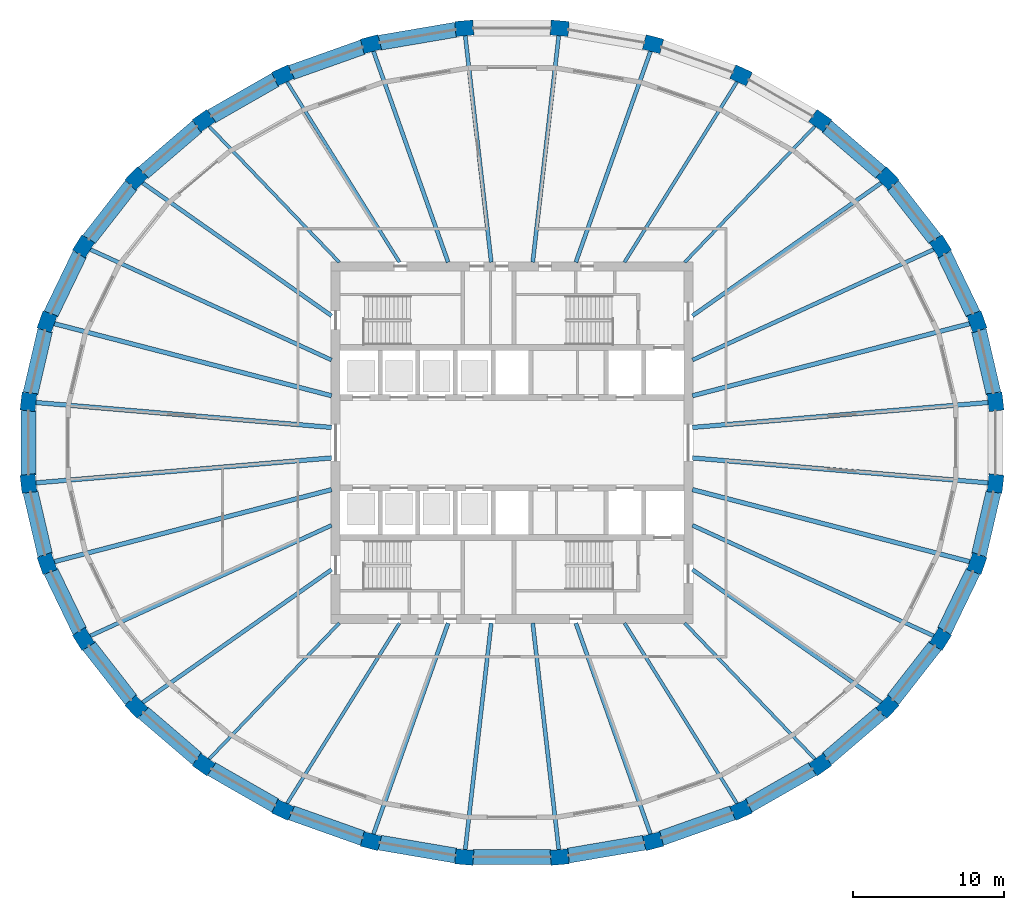
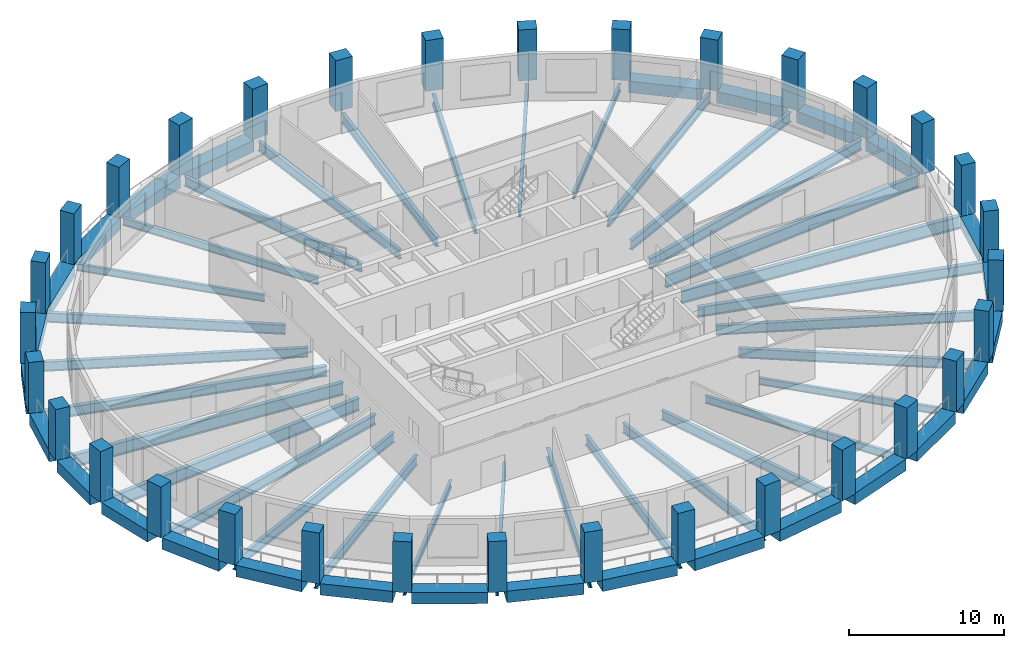
# One storey, part 1 of 10: 59 beams, 32 columns.
"""IFC4 building model written with IfcOpenShell, lengths in metres."""

from ifc_helpers import new_model, si_unit, direction, frame, origin, origin_2d, place, context, subcontext, project, spatial, rectangle, i_section, extrude, material, material_profile, profile_set, type_object, element, save


model = new_model("IFC4")

# Units and contexts
model_context = context("Model", 3, precision=1e-05, world=origin(), true_north=direction((0.0, 1.0)))
body_context = subcontext(model_context, "Body", "Model", "MODEL_VIEW")
ifc_project = project(units=[si_unit("LENGTHUNIT", "METRE"), si_unit("AREAUNIT", "SQUARE_METRE"), si_unit("VOLUMEUNIT", "CUBIC_METRE"), si_unit("PLANEANGLEUNIT", "RADIAN"), si_unit("MASSUNIT", "GRAM", prefix="KILO")], contexts=[model_context])

# Site, building, storey
site_placement = place(None, origin())
site = spatial("IfcSite", under=ifc_project, at=site_placement, CompositionType="ELEMENT")
building_placement = place(site_placement, origin())
building = spatial("IfcBuilding", under=site, at=building_placement, Name="Halqa Exchange Tower", CompositionType="ELEMENT")
storey_placement = place(building_placement, frame((0.0, 0.0, 206.89990234375)))
storey = spatial("IfcBuildingStorey", under=building, at=storey_placement, Name="L47", CompositionType="ELEMENT", Elevation=206.89990234375)

# Columns
ifc_material_1 = material(Name="Concrete C60/75", Category="concrete")
ifc_material_profile_1 = material_profile(ifc_material_1, rectangle(XDim=1.199951171875, YDim=1.0, at=origin_2d()), Name="1200 x 1000")
ifc_profile_set_1 = profile_set([ifc_material_profile_1], Name="Concrete C60/75")
column_type = type_object("IfcColumnType", Name="RC ring column 1200 x 1000 C60/75", PredefinedType="COLUMN", material=ifc_profile_set_1)
for number, where, z_axis, x_axis, name in (
    (1, (32.08154296875, 2.70849609375, 0.0), (0.0, 0.0, 1.0), (-0.114156921978, 0.993462730637, 0.0), "Ring column 1"),
    (2, (30.8486328125, 8.02099609375, 0.0), (0.0, 0.0, 1.0), (-0.333632460227, 0.942703230865, 0.0), "Ring column 2"),
    (3, (28.430419921875, 13.025390625, 0.0), (0.0, 0.0, 1.0), (-0.529143458197, 0.848532380435, 0.0), "Ring column 3"),
    (4, (24.91943359375, 17.529296875, 0.0), (0.0, 0.0, 1.0), (-0.691577351953, 0.722302406382, 0.0), "Ring column 4"),
    (5, (20.45068359375, 21.359375, 0.0), (0.0, 0.0, 1.0), (-0.817908788019, 0.57534790734, 0.0), "Ring column 5"),
    (6, (15.1962890625, 24.368896484375, 0.0), (0.0, 0.0, 1.0), (-0.909126368869, 0.416520402174, 0.0), "Ring column 6"),
    (7, (9.35791015625, 26.441650390625, 0.0), (0.0, 0.0, 1.0), (-0.967820381973, 0.251642023988, 0.0), "Ring column 7"),
    (8, (3.159912109375, 27.498291015625, 0.0), (0.0, 0.0, 1.0), (-0.996455812618, 0.084117854819, 0.0), "Ring column 8"),
    (9, (-3.159912109375, 27.498291015625, 0.0), (0.0, 0.0, 1.0), (-0.996455812618, -0.084117854819, 0.0), "Ring column 9"),
    (10, (-9.35791015625, 26.441650390625, 0.0), (0.0, 0.0, 1.0), (-0.967820381973, -0.251642023988, 0.0), "Ring column 10"),
    (11, (-15.1962890625, 24.368896484375, 0.0), (0.0, 0.0, 1.0), (-0.909126368869, -0.416520402174, 0.0), "Ring column 11"),
    (12, (-20.45068359375, 21.359375, 0.0), (0.0, 0.0, 1.0), (-0.817908788019, -0.57534790734, 0.0), "Ring column 12"),
    (13, (-24.91943359375, 17.529296875, 0.0), (0.0, 0.0, 1.0), (-0.691577351953, -0.722302406382, 0.0), "Ring column 13"),
    (14, (-28.430419921875, 13.025390625, 0.0), (0.0, 0.0, 1.0), (-0.529143458197, -0.848532380435, 0.0), "Ring column 14"),
    (15, (-30.8486328125, 8.02099609375, 0.0), (0.0, 0.0, 1.0), (-0.333632460227, -0.942703230865, 0.0), "Ring column 15"),
    (16, (-32.08154296875, 2.70849609375, 0.0), (0.0, 0.0, 1.0), (-0.114156921978, -0.993462730637, 0.0), "Ring column 16"),
    (17, (-32.08154296875, -2.70849609375, 0.0), (0.0, 0.0, 1.0), (0.114156921978, -0.993462730637, 0.0), "Ring column 17"),
    (18, (-30.8486328125, -8.02099609375, 0.0), (0.0, 0.0, 1.0), (0.333632460227, -0.942703230865, 0.0), "Ring column 18"),
    (19, (-28.430419921875, -13.025390625, 0.0), (0.0, 0.0, 1.0), (0.529143458197, -0.848532380435, 0.0), "Ring column 19"),
    (20, (-24.91943359375, -17.529296875, 0.0), (0.0, 0.0, 1.0), (0.691577351953, -0.722302406382, 0.0), "Ring column 20"),
    (21, (-20.45068359375, -21.359375, 0.0), (0.0, 0.0, 1.0), (0.817908788019, -0.57534790734, 0.0), "Ring column 21"),
    (22, (-15.1962890625, -24.368896484375, 0.0), (0.0, 0.0, 1.0), (0.909126368869, -0.416520402174, 0.0), "Ring column 22"),
    (23, (-9.35791015625, -26.441650390625, 0.0), (0.0, 0.0, 1.0), (0.967820381973, -0.251642023988, 0.0), "Ring column 23"),
    (24, (-3.159912109375, -27.498291015625, 0.0), (0.0, 0.0, 1.0), (0.996455812618, -0.084117854819, 0.0), "Ring column 24"),
    (25, (3.159912109375, -27.498291015625, 0.0), (0.0, 0.0, 1.0), (0.996455812618, 0.084117854819, 0.0), "Ring column 25"),
    (26, (9.35791015625, -26.441650390625, 0.0), (0.0, 0.0, 1.0), (0.967820381973, 0.251642023988, 0.0), "Ring column 26"),
    (27, (15.1962890625, -24.368896484375, 0.0), (0.0, 0.0, 1.0), (0.909126368869, 0.416520402174, 0.0), "Ring column 27"),
    (28, (20.45068359375, -21.359375, 0.0), (0.0, 0.0, 1.0), (0.817908788019, 0.57534790734, 0.0), "Ring column 28"),
    (29, (24.91943359375, -17.529296875, 0.0), (0.0, 0.0, 1.0), (0.691577351953, 0.722302406382, 0.0), "Ring column 29"),
    (30, (28.430419921875, -13.025390625, 0.0), (0.0, 0.0, 1.0), (0.529143458197, 0.848532380435, 0.0), "Ring column 30"),
    (31, (30.8486328125, -8.02099609375, 0.0), (0.0, 0.0, 1.0), (0.333632460227, 0.942703230865, 0.0), "Ring column 31"),
    (32, (32.08154296875, -2.70849609375, 0.0), (0.0, 0.0, 1.0), (0.114156921978, 0.993462730637, 0.0), "Ring column 32"),
):
    element("IfcColumn", number, at=place(storey_placement, frame(where, z_axis=z_axis, x_axis=x_axis)), inside=storey, type_object=column_type, Name=name, PredefinedType="COLUMN", context=body_context, shape_type="SweptSolid", body=[
        extrude(rectangle(XDim=1.199951171875, YDim=1.0, at=origin_2d()), origin(), (0.0, 0.0, 1.0), 4.0),
    ])

# Beams
ifc_material_2 = material(Name="Steel S355", Category="steel")
ifc_material_profile_2 = material_profile(ifc_material_2, i_section(OverallWidth=0.300048828125, OverallDepth=0.989990234375, WebThickness=0.0166015625, FlangeThickness=0.031005859375, FilletRadius=0.030029296875, at=origin_2d()), Name="HEA 1000")
ifc_profile_set_2 = profile_set([ifc_material_profile_2], Name="Steel S355")
beam_type_1 = type_object("IfcBeamType", Name="Floor beam HEA 1000", PredefinedType="BEAM", material=ifc_profile_set_2)
for number, where, z_axis, x_axis, name in (
    (33, (11.972412109375, 1.0107421875, -0.794921875), (0.996455847373, 0.084117443114, 0.0), (-0.084117443114, 0.996455847373, 0.0), "Radial beam 1"),
    (34, (-11.972412109375, 1.0107421875, -0.794921875), (-0.996455847373, 0.084117443114, 0.0), (-0.084117443114, -0.996455847373, 0.0), "Radial beam 16"),
    (35, (-11.972412109375, -1.0107421875, -0.794921875), (-0.996455847373, -0.084117443114, 0.0), (0.084117443114, -0.996455847373, 0.0), "Radial beam 17"),
    (36, (11.972412109375, -1.0107421875, -0.794921875), (0.996455847373, -0.084117443114, 0.0), (0.084117443114, 0.996455847373, 0.0), "Radial beam 32"),
):
    element("IfcBeam", number, at=place(storey_placement, frame(where, z_axis=z_axis, x_axis=x_axis)), inside=storey, type_object=beam_type_1, Name=name, PredefinedType="BEAM", context=body_context, shape_type="SweptSolid", body=[
        extrude(i_section(OverallWidth=0.300048828125, OverallDepth=0.989990234375, WebThickness=0.0166015625, FlangeThickness=0.031005859375, FilletRadius=0.030029296875, at=origin_2d()), origin(), (0.0, 0.0, 1.0), 19.808837890625),
    ])
ifc_material_profile_3 = material_profile(ifc_material_2, i_section(OverallWidth=0.300048828125, OverallDepth=0.800048828125, WebThickness=0.017578125, FlangeThickness=0.032958984375, FilletRadius=0.030029296875, at=origin_2d()), Name="HEB 800")
ifc_profile_set_3 = profile_set([ifc_material_profile_3], Name="Steel S355")
beam_type_2 = type_object("IfcBeamType", Name="Floor beam HEB 800", PredefinedType="BEAM", material=ifc_profile_set_3)
for number, where, z_axis, x_axis, name in (
    (37, (11.97119140625, 3.11279296875, -0.699951171875), (0.967820642046, 0.251641023741, 0.0), (-0.251641023741, 0.967820642046, 0.0), "Radial beam 2"),
    (38, (-11.97119140625, 3.11279296875, -0.699951171875), (-0.967820642046, 0.251641023741, 0.0), (-0.251641023741, -0.967820642046, 0.0), "Radial beam 15"),
    (39, (-11.97119140625, -3.11279296875, -0.699951171875), (-0.967820642046, -0.251641023741, 0.0), (0.251641023741, -0.967820642046, 0.0), "Radial beam 18"),
    (40, (11.97119140625, -3.11279296875, -0.699951171875), (0.967820642046, -0.251641023741, 0.0), (0.251641023741, 0.967820642046, 0.0), "Radial beam 31"),
):
    element("IfcBeam", number, at=place(storey_placement, frame(where, z_axis=z_axis, x_axis=x_axis)), inside=storey, type_object=beam_type_2, Name=name, PredefinedType="BEAM", context=body_context, shape_type="SweptSolid", body=[
        extrude(i_section(OverallWidth=0.300048828125, OverallDepth=0.800048828125, WebThickness=0.017578125, FlangeThickness=0.032958984375, FilletRadius=0.030029296875, at=origin_2d()), origin(), (0.0, 0.0, 1.0), 19.13134765625),
    ])
ifc_material_profile_4 = material_profile(ifc_material_2, i_section(OverallWidth=0.2099609375, OverallDepth=0.550048828125, WebThickness=0.010986328125, FlangeThickness=0.01708984375, FilletRadius=0.02392578125, at=origin_2d()), Name="IPE 550")
ifc_profile_set_4 = profile_set([ifc_material_profile_4], Name="Steel S355")
beam_type_3 = type_object("IfcBeamType", Name="Floor beam IPE 550", PredefinedType="BEAM", material=ifc_profile_set_4)
for number, where, z_axis, x_axis, name in (
    (41, (11.462646484375, 11.971923828125, -0.574951171875), (0.691580517916, 0.722299375079, 0.0), (-0.722299375079, 0.691580517916, 0.0), "Radial beam 5"),
    (42, (-11.462646484375, 11.971923828125, -0.574951171875), (-0.691580517916, 0.722299375079, 0.0), (-0.722299375079, -0.691580517916, 0.0), "Radial beam 12"),
    (43, (-11.462646484375, -11.971923828125, -0.574951171875), (-0.691580517916, -0.722299375079, 0.0), (0.722299375079, -0.691580517916, 0.0), "Radial beam 21"),
    (44, (11.462646484375, -11.971923828125, -0.574951171875), (0.691580517916, -0.722299375079, 0.0), (0.722299375079, 0.691580517916, 0.0), "Radial beam 28"),
):
    element("IfcBeam", number, at=place(storey_placement, frame(where, z_axis=z_axis, x_axis=x_axis)), inside=storey, type_object=beam_type_3, Name=name, PredefinedType="BEAM", context=body_context, shape_type="SweptSolid", body=[
        extrude(i_section(OverallWidth=0.2099609375, OverallDepth=0.550048828125, WebThickness=0.010986328125, FlangeThickness=0.01708984375, FilletRadius=0.02392578125, at=origin_2d()), origin(), (0.0, 0.0, 1.0), 12.620849609375),
    ])
ifc_material_profile_5 = material_profile(ifc_material_2, i_section(OverallWidth=0.219970703125, OverallDepth=0.60009765625, WebThickness=0.011962890625, FlangeThickness=0.01904296875, FilletRadius=0.02392578125, at=origin_2d()), Name="IPE 600")
ifc_profile_set_5 = profile_set([ifc_material_profile_5], Name="Steel S355")
beam_type_4 = type_object("IfcBeamType", Name="Floor beam IPE 600", PredefinedType="BEAM", material=ifc_profile_set_5)
for number, where, z_axis, x_axis, name in (
    (45, (7.466064453125, 11.972412109375, -0.599853515625), (0.529133693888, 0.848538469365, 0.0), (-0.848538469365, 0.529133693888, 0.0), "Radial beam 6"),
    (46, (-7.466064453125, 11.972412109375, -0.599853515625), (-0.529133693888, 0.848538469365, 0.0), (-0.848538469365, -0.529133693888, 0.0), "Radial beam 11"),
    (47, (-7.466064453125, -11.972412109375, -0.599853515625), (-0.529133693888, -0.848538469365, 0.0), (0.848538469365, -0.529133693888, 0.0), "Radial beam 22"),
    (48, (7.466064453125, -11.972412109375, -0.599853515625), (0.529133693888, -0.848538469365, 0.0), (0.848538469365, 0.529133693888, 0.0), "Radial beam 27"),
):
    element("IfcBeam", number, at=place(storey_placement, frame(where, z_axis=z_axis, x_axis=x_axis)), inside=storey, type_object=beam_type_4, Name=name, PredefinedType="BEAM", context=body_context, shape_type="SweptSolid", body=[
        extrude(i_section(OverallWidth=0.219970703125, OverallDepth=0.60009765625, WebThickness=0.011962890625, FlangeThickness=0.01904296875, FilletRadius=0.02392578125, at=origin_2d()), origin(), (0.0, 0.0, 1.0), 14.233154296875),
    ])
ifc_material_profile_6 = material_profile(ifc_material_2, i_section(OverallWidth=0.264892578125, OverallDepth=0.7529296875, WebThickness=0.01318359375, FlangeThickness=0.01708984375, FilletRadius=0.01708984375, at=origin_2d()), Name="IPE 750x147")
ifc_profile_set_6 = profile_set([ifc_material_profile_6], Name="Steel S355")
beam_type_5 = type_object("IfcBeamType", Name="Floor beam IPE 750x147", PredefinedType="BEAM", material=ifc_profile_set_6)
beam_1_placement = place(storey_placement, frame((11.972412109375, 5.485107421875, -0.676513671875), z_axis=(0.909122412796, 0.416529036866, 0.0), x_axis=(-0.416529036866, 0.909122412796, 0.0)))
element("IfcBeam", 49, at=beam_1_placement, inside=storey, type_object=beam_type_5, Name="Radial beam 3", PredefinedType="BEAM", context=body_context, shape_type="SweptSolid", body=[
    extrude(i_section(OverallWidth=0.264892578125, OverallDepth=0.7529296875, WebThickness=0.01318359375, FlangeThickness=0.01708984375, FilletRadius=0.01708984375, at=origin_2d()), origin(), (0.0, 0.0, 1.0), 17.72705078125),
])
beam_2_placement = place(storey_placement, frame((11.97216796875, 8.421630859375, -0.676513671875), z_axis=(0.817904167893, 0.575354475209, 0.0), x_axis=(-0.575354475209, 0.817904167893, 0.0)))
element("IfcBeam", 50, at=beam_2_placement, inside=storey, type_object=beam_type_5, Name="Radial beam 4", PredefinedType="BEAM", context=body_context, shape_type="SweptSolid", body=[
    extrude(i_section(OverallWidth=0.264892578125, OverallDepth=0.7529296875, WebThickness=0.01318359375, FlangeThickness=0.01708984375, FilletRadius=0.01708984375, at=origin_2d()), origin(), (0.0, 0.0, 1.0), 15.45361328125),
])
beam_3_placement = place(storey_placement, frame((4.23681640625, 11.9716796875, -0.676513671875), z_axis=(0.333619887143, 0.942707680515, 0.0), x_axis=(-0.942707680515, 0.333619887143, 0.0)))
element("IfcBeam", 51, at=beam_3_placement, inside=storey, type_object=beam_type_5, Name="Radial beam 7", PredefinedType="BEAM", context=body_context, shape_type="SweptSolid", body=[
    extrude(i_section(OverallWidth=0.264892578125, OverallDepth=0.7529296875, WebThickness=0.01318359375, FlangeThickness=0.01708984375, FilletRadius=0.01708984375, at=origin_2d()), origin(), (0.0, 0.0, 1.0), 14.975341796875),
])
for number, where, z_axis, x_axis, name in (
    (52, (1.375732421875, 11.972900390625, -0.676513671875), (0.114150913868, 0.993463420999, 0.0), (-0.993463420999, 0.114150913868, 0.0), "Radial beam 8"),
    (53, (-1.375732421875, 11.972900390625, -0.676513671875), (-0.114150913868, 0.993463420999, 0.0), (-0.993463420999, -0.114150913868, 0.0), "Radial beam 9"),
):
    element("IfcBeam", number, at=place(storey_placement, frame(where, z_axis=z_axis, x_axis=x_axis)), inside=storey, type_object=beam_type_5, Name=name, PredefinedType="BEAM", context=body_context, shape_type="SweptSolid", body=[
        extrude(i_section(OverallWidth=0.264892578125, OverallDepth=0.7529296875, WebThickness=0.01318359375, FlangeThickness=0.01708984375, FilletRadius=0.01708984375, at=origin_2d()), origin(), (0.0, 0.0, 1.0), 15.255615234375),
    ])
beam_4_placement = place(storey_placement, frame((-4.23681640625, 11.9716796875, -0.676513671875), z_axis=(-0.333619887143, 0.942707680515, 0.0), x_axis=(-0.942707680515, -0.333619887143, 0.0)))
element("IfcBeam", 54, at=beam_4_placement, inside=storey, type_object=beam_type_5, Name="Radial beam 10", PredefinedType="BEAM", context=body_context, shape_type="SweptSolid", body=[
    extrude(i_section(OverallWidth=0.264892578125, OverallDepth=0.7529296875, WebThickness=0.01318359375, FlangeThickness=0.01708984375, FilletRadius=0.01708984375, at=origin_2d()), origin(), (0.0, 0.0, 1.0), 14.975341796875),
])
beam_5_placement = place(storey_placement, frame((-11.97216796875, 8.421630859375, -0.676513671875), z_axis=(-0.817904167893, 0.575354475209, 0.0), x_axis=(-0.575354475209, -0.817904167893, 0.0)))
element("IfcBeam", 55, at=beam_5_placement, inside=storey, type_object=beam_type_5, Name="Radial beam 13", PredefinedType="BEAM", context=body_context, shape_type="SweptSolid", body=[
    extrude(i_section(OverallWidth=0.264892578125, OverallDepth=0.7529296875, WebThickness=0.01318359375, FlangeThickness=0.01708984375, FilletRadius=0.01708984375, at=origin_2d()), origin(), (0.0, 0.0, 1.0), 15.45361328125),
])
for number, where, z_axis, x_axis, name in (
    (56, (-11.972412109375, 5.485107421875, -0.676513671875), (-0.909122412796, 0.416529036866, 0.0), (-0.416529036866, -0.909122412796, 0.0), "Radial beam 14"),
    (57, (-11.972412109375, -5.485107421875, -0.676513671875), (-0.909122412796, -0.416529036866, 0.0), (0.416529036866, -0.909122412796, 0.0), "Radial beam 19"),
):
    element("IfcBeam", number, at=place(storey_placement, frame(where, z_axis=z_axis, x_axis=x_axis)), inside=storey, type_object=beam_type_5, Name=name, PredefinedType="BEAM", context=body_context, shape_type="SweptSolid", body=[
        extrude(i_section(OverallWidth=0.264892578125, OverallDepth=0.7529296875, WebThickness=0.01318359375, FlangeThickness=0.01708984375, FilletRadius=0.01708984375, at=origin_2d()), origin(), (0.0, 0.0, 1.0), 17.72705078125),
    ])
beam_6_placement = place(storey_placement, frame((-11.97216796875, -8.421630859375, -0.676513671875), z_axis=(-0.817904167893, -0.575354475209, 0.0), x_axis=(0.575354475209, -0.817904167893, 0.0)))
element("IfcBeam", 58, at=beam_6_placement, inside=storey, type_object=beam_type_5, Name="Radial beam 20", PredefinedType="BEAM", context=body_context, shape_type="SweptSolid", body=[
    extrude(i_section(OverallWidth=0.264892578125, OverallDepth=0.7529296875, WebThickness=0.01318359375, FlangeThickness=0.01708984375, FilletRadius=0.01708984375, at=origin_2d()), origin(), (0.0, 0.0, 1.0), 15.45361328125),
])
beam_7_placement = place(storey_placement, frame((-4.23681640625, -11.9716796875, -0.676513671875), z_axis=(-0.333619887143, -0.942707680515, 0.0), x_axis=(0.942707680515, -0.333619887143, 0.0)))
element("IfcBeam", 59, at=beam_7_placement, inside=storey, type_object=beam_type_5, Name="Radial beam 23", PredefinedType="BEAM", context=body_context, shape_type="SweptSolid", body=[
    extrude(i_section(OverallWidth=0.264892578125, OverallDepth=0.7529296875, WebThickness=0.01318359375, FlangeThickness=0.01708984375, FilletRadius=0.01708984375, at=origin_2d()), origin(), (0.0, 0.0, 1.0), 14.975341796875),
])
for number, where, z_axis, x_axis, name in (
    (60, (-1.375732421875, -11.972900390625, -0.676513671875), (-0.114150913868, -0.993463420999, 0.0), (0.993463420999, -0.114150913868, 0.0), "Radial beam 24"),
    (61, (1.375732421875, -11.972900390625, -0.676513671875), (0.114150913868, -0.993463420999, 0.0), (0.993463420999, 0.114150913868, 0.0), "Radial beam 25"),
):
    element("IfcBeam", number, at=place(storey_placement, frame(where, z_axis=z_axis, x_axis=x_axis)), inside=storey, type_object=beam_type_5, Name=name, PredefinedType="BEAM", context=body_context, shape_type="SweptSolid", body=[
        extrude(i_section(OverallWidth=0.264892578125, OverallDepth=0.7529296875, WebThickness=0.01318359375, FlangeThickness=0.01708984375, FilletRadius=0.01708984375, at=origin_2d()), origin(), (0.0, 0.0, 1.0), 15.255615234375),
    ])
beam_8_placement = place(storey_placement, frame((4.23681640625, -11.9716796875, -0.676513671875), z_axis=(0.333619887143, -0.942707680515, 0.0), x_axis=(0.942707680515, 0.333619887143, 0.0)))
element("IfcBeam", 62, at=beam_8_placement, inside=storey, type_object=beam_type_5, Name="Radial beam 26", PredefinedType="BEAM", context=body_context, shape_type="SweptSolid", body=[
    extrude(i_section(OverallWidth=0.264892578125, OverallDepth=0.7529296875, WebThickness=0.01318359375, FlangeThickness=0.01708984375, FilletRadius=0.01708984375, at=origin_2d()), origin(), (0.0, 0.0, 1.0), 14.975341796875),
])
beam_9_placement = place(storey_placement, frame((11.97216796875, -8.421630859375, -0.676513671875), z_axis=(0.817904167893, -0.575354475209, 0.0), x_axis=(0.575354475209, 0.817904167893, 0.0)))
element("IfcBeam", 63, at=beam_9_placement, inside=storey, type_object=beam_type_5, Name="Radial beam 29", PredefinedType="BEAM", context=body_context, shape_type="SweptSolid", body=[
    extrude(i_section(OverallWidth=0.264892578125, OverallDepth=0.7529296875, WebThickness=0.01318359375, FlangeThickness=0.01708984375, FilletRadius=0.01708984375, at=origin_2d()), origin(), (0.0, 0.0, 1.0), 15.45361328125),
])
beam_10_placement = place(storey_placement, frame((11.972412109375, -5.485107421875, -0.676513671875), z_axis=(0.909122412796, -0.416529036866, 0.0), x_axis=(0.416529036866, 0.909122412796, 0.0)))
element("IfcBeam", 64, at=beam_10_placement, inside=storey, type_object=beam_type_5, Name="Radial beam 30", PredefinedType="BEAM", context=body_context, shape_type="SweptSolid", body=[
    extrude(i_section(OverallWidth=0.264892578125, OverallDepth=0.7529296875, WebThickness=0.01318359375, FlangeThickness=0.01708984375, FilletRadius=0.01708984375, at=origin_2d()), origin(), (0.0, 0.0, 1.0), 17.72705078125),
])
ifc_material_profile_7 = material_profile(ifc_material_1, rectangle(XDim=1.0, YDim=0.89990234375, at=origin_2d()), Name="1000 x 900")
ifc_profile_set_7 = profile_set([ifc_material_profile_7], Name="Concrete C60/75")
beam_type_6 = type_object("IfcBeamType", Name="RC spandrel beam 1000 x 900 C60/75", PredefinedType="SPANDREL", material=ifc_profile_set_7)
beam_11_placement = place(storey_placement, frame((31.951416015625, 3.269775390625, -0.449951171875), z_axis=(-0.226102781775, 0.974103450396, 0.0), x_axis=(-0.974103450396, -0.226102781775, 0.0)))
element("IfcBeam", 65, at=beam_11_placement, inside=storey, type_object=beam_type_6, Name="Spandrel 1", PredefinedType="SPANDREL", context=body_context, shape_type="SweptSolid", body=[
    extrude(rectangle(XDim=1.0, YDim=0.89990234375, at=origin_2d()), origin(), (0.0, 0.0, 1.0), 4.3017578125),
])
beam_12_placement = place(storey_placement, frame((30.5986328125, 8.53857421875, -0.449951171875), z_axis=(-0.435097564922, 0.900383312261, 0.0), x_axis=(-0.900383312261, -0.435097564922, 0.0)))
element("IfcBeam", 66, at=beam_12_placement, inside=storey, type_object=beam_type_6, Name="Spandrel 2", PredefinedType="SPANDREL", context=body_context, shape_type="SweptSolid", body=[
    extrude(rectangle(XDim=1.0, YDim=0.89990234375, at=origin_2d()), origin(), (0.0, 0.0, 1.0), 4.407470703125),
])
beam_13_placement = place(storey_placement, frame((28.0771484375, 13.478515625, -0.449951171875), z_axis=(-0.614814790749, 0.788671524195, 0.0), x_axis=(-0.788671524195, -0.614814790749, 0.0)))
element("IfcBeam", 67, at=beam_13_placement, inside=storey, type_object=beam_type_6, Name="Spandrel 3", PredefinedType="SPANDREL", context=body_context, shape_type="SweptSolid", body=[
    extrude(rectangle(XDim=1.0, YDim=0.89990234375, at=origin_2d()), origin(), (0.0, 0.0, 1.0), 4.56103515625),
])
beam_14_placement = place(storey_placement, frame((24.483642578125, 17.902587890625, -0.449951171875), z_axis=(-0.759242050572, 0.650808350164, 0.0), x_axis=(-0.650808350164, -0.759242050572, 0.0)))
element("IfcBeam", 68, at=beam_14_placement, inside=storey, type_object=beam_type_6, Name="Spandrel 4", PredefinedType="SPANDREL", context=body_context, shape_type="SweptSolid", body=[
    extrude(rectangle(XDim=1.0, YDim=0.89990234375, at=origin_2d()), origin(), (0.0, 0.0, 1.0), 4.7373046875),
])
beam_15_placement = place(storey_placement, frame((-3.725341796875, 27.402099609375, -0.449951171875), z_axis=(-0.985769464363, -0.168102834982, 0.0), x_axis=(0.168102834982, -0.985769464363, 0.0)))
element("IfcBeam", 69, at=beam_15_placement, inside=storey, type_object=beam_type_6, Name="Spandrel 9", PredefinedType="SPANDREL", context=body_context, shape_type="SweptSolid", body=[
    extrude(rectangle(XDim=1.0, YDim=0.89990234375, at=origin_2d()), origin(), (0.0, 0.0, 1.0), 5.139892578125),
])
beam_16_placement = place(storey_placement, frame((-9.8994140625, 26.24951171875, -0.449951171875), z_axis=(-0.942356423525, -0.334610775442, 0.0), x_axis=(0.334610775442, -0.942356423525, 0.0)))
element("IfcBeam", 70, at=beam_16_placement, inside=storey, type_object=beam_type_6, Name="Spandrel 10", PredefinedType="SPANDREL", context=body_context, shape_type="SweptSolid", body=[
    extrude(rectangle(XDim=1.0, YDim=0.89990234375, at=origin_2d()), origin(), (0.0, 0.0, 1.0), 5.047607421875),
])
beam_17_placement = place(storey_placement, frame((-15.694580078125, 24.08349609375, -0.449951171875), z_axis=(-0.867758828844, -0.496985527921, 0.0), x_axis=(0.496985527921, -0.867758828844, 0.0)))
element("IfcBeam", 71, at=beam_17_placement, inside=storey, type_object=beam_type_6, Name="Spandrel 11", PredefinedType="SPANDREL", context=body_context, shape_type="SweptSolid", body=[
    extrude(rectangle(XDim=1.0, YDim=0.89990234375, at=origin_2d()), origin(), (0.0, 0.0, 1.0), 4.905517578125),
])
beam_18_placement = place(storey_placement, frame((-20.886962890625, 20.985595703125, -0.449951171875), z_axis=(-0.759242050572, -0.650808350164, 0.0), x_axis=(0.650808350164, -0.759242050572, 0.0)))
element("IfcBeam", 72, at=beam_18_placement, inside=storey, type_object=beam_type_6, Name="Spandrel 12", PredefinedType="SPANDREL", context=body_context, shape_type="SweptSolid", body=[
    extrude(rectangle(XDim=1.0, YDim=0.89990234375, at=origin_2d()), origin(), (0.0, 0.0, 1.0), 4.7373046875),
])
beam_19_placement = place(storey_placement, frame((-25.27294921875, 17.07568359375, -0.449951171875), z_axis=(-0.614814790749, -0.788671524195, 0.0), x_axis=(0.788671524195, -0.614814790749, 0.0)))
element("IfcBeam", 73, at=beam_19_placement, inside=storey, type_object=beam_type_6, Name="Spandrel 13", PredefinedType="SPANDREL", context=body_context, shape_type="SweptSolid", body=[
    extrude(rectangle(XDim=1.0, YDim=0.89990234375, at=origin_2d()), origin(), (0.0, 0.0, 1.0), 4.56103515625),
])
beam_20_placement = place(storey_placement, frame((-28.680908203125, 12.507080078125, -0.449951171875), z_axis=(-0.435097564922, -0.900383312261, 0.0), x_axis=(0.900383312261, -0.435097564922, 0.0)))
element("IfcBeam", 74, at=beam_20_placement, inside=storey, type_object=beam_type_6, Name="Spandrel 14", PredefinedType="SPANDREL", context=body_context, shape_type="SweptSolid", body=[
    extrude(rectangle(XDim=1.0, YDim=0.89990234375, at=origin_2d()), origin(), (0.0, 0.0, 1.0), 4.407470703125),
])
beam_21_placement = place(storey_placement, frame((-30.978759765625, 7.460205078125, -0.449951171875), z_axis=(-0.226102781775, -0.974103450396, 0.0), x_axis=(0.974103450396, -0.226102781775, 0.0)))
element("IfcBeam", 75, at=beam_21_placement, inside=storey, type_object=beam_type_6, Name="Spandrel 15", PredefinedType="SPANDREL", context=body_context, shape_type="SweptSolid", body=[
    extrude(rectangle(XDim=1.0, YDim=0.89990234375, at=origin_2d()), origin(), (0.0, 0.0, 1.0), 4.3017578125),
])
beam_22_placement = place(storey_placement, frame((-32.08154296875, 2.131591796875, -0.449951171875), z_axis=(0.0, -1.0, 0.0), x_axis=(1.0, 0.0, 0.0)))
element("IfcBeam", 76, at=beam_22_placement, inside=storey, type_object=beam_type_6, Name="Spandrel 16", PredefinedType="SPANDREL", context=body_context, shape_type="SweptSolid", body=[
    extrude(rectangle(XDim=1.0, YDim=0.89990234375, at=origin_2d()), origin(), (0.0, 0.0, 1.0), 4.26318359375),
])
beam_23_placement = place(storey_placement, frame((-31.951416015625, -3.269775390625, -0.449951171875), z_axis=(0.226102781775, -0.974103450396, 0.0), x_axis=(0.974103450396, 0.226102781775, 0.0)))
element("IfcBeam", 77, at=beam_23_placement, inside=storey, type_object=beam_type_6, Name="Spandrel 17", PredefinedType="SPANDREL", context=body_context, shape_type="SweptSolid", body=[
    extrude(rectangle(XDim=1.0, YDim=0.89990234375, at=origin_2d()), origin(), (0.0, 0.0, 1.0), 4.3017578125),
])
beam_24_placement = place(storey_placement, frame((-30.5986328125, -8.53857421875, -0.449951171875), z_axis=(0.435097564922, -0.900383312261, 0.0), x_axis=(0.900383312261, 0.435097564922, 0.0)))
element("IfcBeam", 78, at=beam_24_placement, inside=storey, type_object=beam_type_6, Name="Spandrel 18", PredefinedType="SPANDREL", context=body_context, shape_type="SweptSolid", body=[
    extrude(rectangle(XDim=1.0, YDim=0.89990234375, at=origin_2d()), origin(), (0.0, 0.0, 1.0), 4.407470703125),
])
beam_25_placement = place(storey_placement, frame((-28.0771484375, -13.478515625, -0.449951171875), z_axis=(0.614814790749, -0.788671524195, 0.0), x_axis=(0.788671524195, 0.614814790749, 0.0)))
element("IfcBeam", 79, at=beam_25_placement, inside=storey, type_object=beam_type_6, Name="Spandrel 19", PredefinedType="SPANDREL", context=body_context, shape_type="SweptSolid", body=[
    extrude(rectangle(XDim=1.0, YDim=0.89990234375, at=origin_2d()), origin(), (0.0, 0.0, 1.0), 4.56103515625),
])
beam_26_placement = place(storey_placement, frame((-24.483642578125, -17.902587890625, -0.449951171875), z_axis=(0.759242050572, -0.650808350164, 0.0), x_axis=(0.650808350164, 0.759242050572, 0.0)))
element("IfcBeam", 80, at=beam_26_placement, inside=storey, type_object=beam_type_6, Name="Spandrel 20", PredefinedType="SPANDREL", context=body_context, shape_type="SweptSolid", body=[
    extrude(rectangle(XDim=1.0, YDim=0.89990234375, at=origin_2d()), origin(), (0.0, 0.0, 1.0), 4.7373046875),
])
beam_27_placement = place(storey_placement, frame((-19.951416015625, -21.6455078125, -0.449951171875), z_axis=(0.867758828844, -0.496985527921, 0.0), x_axis=(0.496985527921, 0.867758828844, 0.0)))
element("IfcBeam", 81, at=beam_27_placement, inside=storey, type_object=beam_type_6, Name="Spandrel 21", PredefinedType="SPANDREL", context=body_context, shape_type="SweptSolid", body=[
    extrude(rectangle(XDim=1.0, YDim=0.89990234375, at=origin_2d()), origin(), (0.0, 0.0, 1.0), 4.905517578125),
])
beam_28_placement = place(storey_placement, frame((-14.656005859375, -24.560546875, -0.449951171875), z_axis=(0.942356423525, -0.334610775442, 0.0), x_axis=(0.334610775442, 0.942356423525, 0.0)))
element("IfcBeam", 82, at=beam_28_placement, inside=storey, type_object=beam_type_6, Name="Spandrel 22", PredefinedType="SPANDREL", context=body_context, shape_type="SweptSolid", body=[
    extrude(rectangle(XDim=1.0, YDim=0.89990234375, at=origin_2d()), origin(), (0.0, 0.0, 1.0), 5.047607421875),
])
beam_29_placement = place(storey_placement, frame((-8.7919921875, -26.5380859375, -0.449951171875), z_axis=(0.985769464363, -0.168102834982, 0.0), x_axis=(0.168102834982, 0.985769464363, 0.0)))
element("IfcBeam", 83, at=beam_29_placement, inside=storey, type_object=beam_type_6, Name="Spandrel 23", PredefinedType="SPANDREL", context=body_context, shape_type="SweptSolid", body=[
    extrude(rectangle(XDim=1.0, YDim=0.89990234375, at=origin_2d()), origin(), (0.0, 0.0, 1.0), 5.139892578125),
])
beam_30_placement = place(storey_placement, frame((-2.586181640625, -27.498291015625, -0.449951171875), z_axis=(1.0, 0.0, 0.0), x_axis=(0.0, 1.0, 0.0)))
element("IfcBeam", 84, at=beam_30_placement, inside=storey, type_object=beam_type_6, Name="Spandrel 24", PredefinedType="SPANDREL", context=body_context, shape_type="SweptSolid", body=[
    extrude(rectangle(XDim=1.0, YDim=0.89990234375, at=origin_2d()), origin(), (0.0, 0.0, 1.0), 5.17236328125),
])
beam_31_placement = place(storey_placement, frame((3.725341796875, -27.402099609375, -0.449951171875), z_axis=(0.985769464363, 0.168102834982, 0.0), x_axis=(-0.168102834982, 0.985769464363, 0.0)))
element("IfcBeam", 85, at=beam_31_placement, inside=storey, type_object=beam_type_6, Name="Spandrel 25", PredefinedType="SPANDREL", context=body_context, shape_type="SweptSolid", body=[
    extrude(rectangle(XDim=1.0, YDim=0.89990234375, at=origin_2d()), origin(), (0.0, 0.0, 1.0), 5.139892578125),
])
beam_32_placement = place(storey_placement, frame((9.8994140625, -26.24951171875, -0.449951171875), z_axis=(0.942356423525, 0.334610775442, 0.0), x_axis=(-0.334610775442, 0.942356423525, 0.0)))
element("IfcBeam", 86, at=beam_32_placement, inside=storey, type_object=beam_type_6, Name="Spandrel 26", PredefinedType="SPANDREL", context=body_context, shape_type="SweptSolid", body=[
    extrude(rectangle(XDim=1.0, YDim=0.89990234375, at=origin_2d()), origin(), (0.0, 0.0, 1.0), 5.047607421875),
])
beam_33_placement = place(storey_placement, frame((15.694580078125, -24.08349609375, -0.449951171875), z_axis=(0.867758828844, 0.496985527921, 0.0), x_axis=(-0.496985527921, 0.867758828844, 0.0)))
element("IfcBeam", 87, at=beam_33_placement, inside=storey, type_object=beam_type_6, Name="Spandrel 27", PredefinedType="SPANDREL", context=body_context, shape_type="SweptSolid", body=[
    extrude(rectangle(XDim=1.0, YDim=0.89990234375, at=origin_2d()), origin(), (0.0, 0.0, 1.0), 4.905517578125),
])
beam_34_placement = place(storey_placement, frame((20.886962890625, -20.985595703125, -0.449951171875), z_axis=(0.759242050572, 0.650808350164, 0.0), x_axis=(-0.650808350164, 0.759242050572, 0.0)))
element("IfcBeam", 88, at=beam_34_placement, inside=storey, type_object=beam_type_6, Name="Spandrel 28", PredefinedType="SPANDREL", context=body_context, shape_type="SweptSolid", body=[
    extrude(rectangle(XDim=1.0, YDim=0.89990234375, at=origin_2d()), origin(), (0.0, 0.0, 1.0), 4.7373046875),
])
beam_35_placement = place(storey_placement, frame((25.27294921875, -17.07568359375, -0.449951171875), z_axis=(0.614814790749, 0.788671524195, 0.0), x_axis=(-0.788671524195, 0.614814790749, 0.0)))
element("IfcBeam", 89, at=beam_35_placement, inside=storey, type_object=beam_type_6, Name="Spandrel 29", PredefinedType="SPANDREL", context=body_context, shape_type="SweptSolid", body=[
    extrude(rectangle(XDim=1.0, YDim=0.89990234375, at=origin_2d()), origin(), (0.0, 0.0, 1.0), 4.56103515625),
])
beam_36_placement = place(storey_placement, frame((28.680908203125, -12.507080078125, -0.449951171875), z_axis=(0.435097564922, 0.900383312261, 0.0), x_axis=(-0.900383312261, 0.435097564922, 0.0)))
element("IfcBeam", 90, at=beam_36_placement, inside=storey, type_object=beam_type_6, Name="Spandrel 30", PredefinedType="SPANDREL", context=body_context, shape_type="SweptSolid", body=[
    extrude(rectangle(XDim=1.0, YDim=0.89990234375, at=origin_2d()), origin(), (0.0, 0.0, 1.0), 4.407470703125),
])
beam_37_placement = place(storey_placement, frame((30.978759765625, -7.460205078125, -0.449951171875), z_axis=(0.226102781775, 0.974103450396, 0.0), x_axis=(-0.974103450396, 0.226102781775, 0.0)))
element("IfcBeam", 91, at=beam_37_placement, inside=storey, type_object=beam_type_6, Name="Spandrel 31", PredefinedType="SPANDREL", context=body_context, shape_type="SweptSolid", body=[
    extrude(rectangle(XDim=1.0, YDim=0.89990234375, at=origin_2d()), origin(), (0.0, 0.0, 1.0), 4.3017578125),
])

save(model, "model.ifc")
